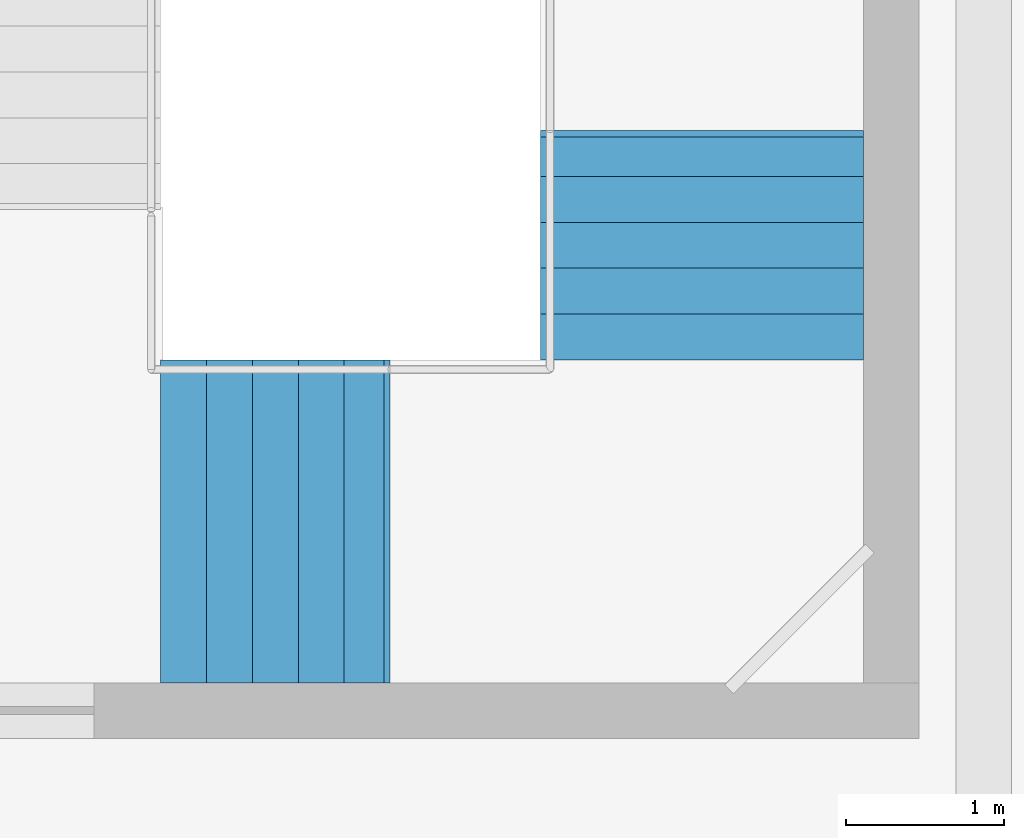
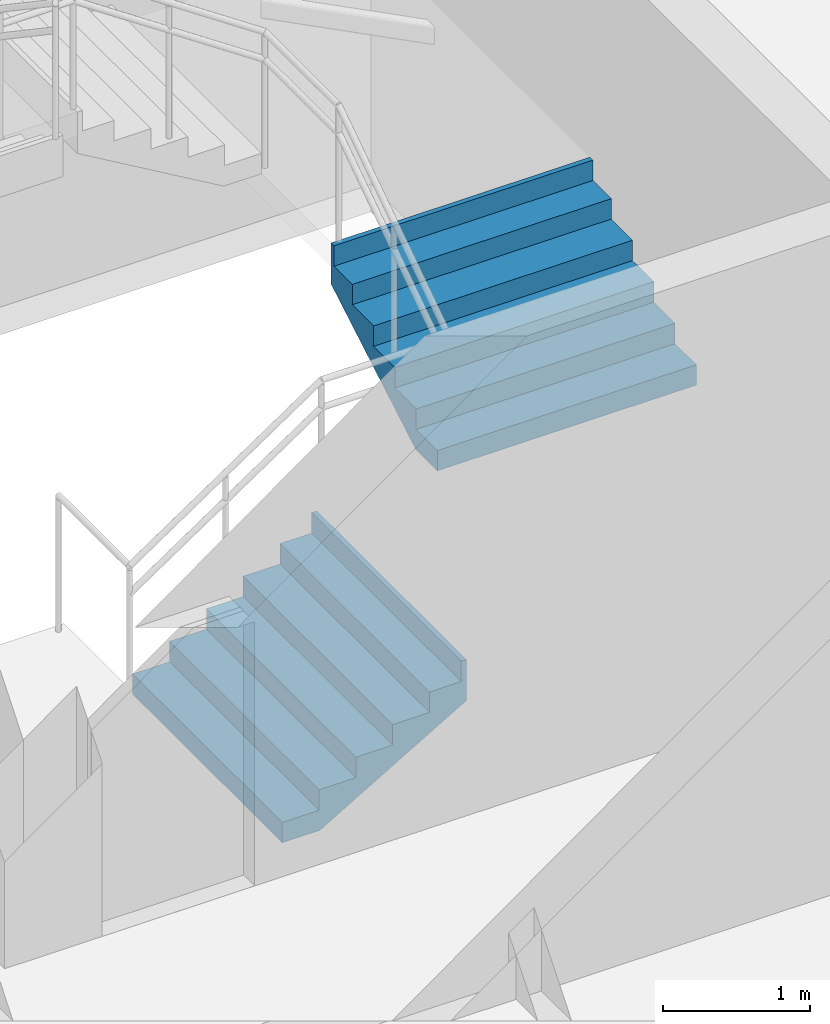
# One storey, part 62 of 70: 2 stair flights, 1 element without a shape of its own.
"""IFC4 building model written with IfcOpenShell, lengths in metres."""

from ifc_helpers import new_model, si_unit, direction, frame, origin, place, context, subcontext, project, spatial, triangles, material, type_object, element, aggregate, save


model = new_model("IFC4")

# Units and contexts
model_context = context("Model", 3, precision=1e-05, world=origin(), true_north=direction((0.0, 1.0)))
body_context = subcontext(model_context, "Body", "Model", "MODEL_VIEW")
ifc_project = project(units=[si_unit("LENGTHUNIT", "METRE"), si_unit("AREAUNIT", "SQUARE_METRE"), si_unit("VOLUMEUNIT", "CUBIC_METRE"), si_unit("PLANEANGLEUNIT", "RADIAN"), si_unit("MASSUNIT", "GRAM", prefix="KILO")], contexts=[model_context])

# Site, building, storey
site_placement = place(None, origin())
site = spatial("IfcSite", under=ifc_project, at=site_placement, CompositionType="ELEMENT")
building_placement = place(site_placement, origin())
building = spatial("IfcBuilding", under=site, at=building_placement, Name="Sillaruma Civic Art Gallery", CompositionType="ELEMENT")
storey_placement = place(building_placement, frame((0.0, 0.0, 66.300048828125)))
storey = spatial("IfcBuildingStorey", under=building, at=storey_placement, Name="L13", CompositionType="ELEMENT", Elevation=66.300048828125)

# Stair, stair flights
ifc_material = material(Name="Concrete H35 (35 MPa)", Category="concrete")
stair_type = type_object("IfcStairType", Name="STR-4F-24", PredefinedType="USERDEFINED", material=ifc_material)
stair_placement = place(storey_placement, origin())
stair = element("IfcStair", 1, at=stair_placement, inside=storey, type_object=stair_type, Name="Protected Exit Stair ST-02 (West Bar North) (L13)", ObjectType="THREE_RETURN_STAIR", PredefinedType="USERDEFINED")
stair_flight_type = type_object("IfcStairFlightType", Name="SFL-STR-6", PredefinedType="STRAIGHT", material=ifc_material)
stair_flight_1_placement = place(storey_placement, frame((64.800048828125, 81.929931640625, 0.0), z_axis=(0.0, 0.0, 1.0), x_axis=(1.0, 0.0, 0.0)))
stair_flight_1 = element("IfcStairFlight", 2, at=stair_flight_1_placement, type_object=stair_flight_type, Name="ST-02 flight 1", NumberOfRisers=6, NumberOfTreads=5, PredefinedType="STRAIGHT", RiserHeight=0.17, TreadLength=0.29, context=body_context, shape_type="Tessellation", body=[
    triangles([(0.0, -1.02001953125, 0.0), (0.29, -1.02001953125, 0.0), (0.296365, -1.02001953125, 0.0), (0.58, -1.02001953125, 0.166269), (0.87, -1.02001953125, 0.336269), (1.16, -1.02001953125, 0.506269), (1.409951, -1.02001953125, 0.652792), (1.449951, -1.02001953125, 0.67624), (1.449951, -1.02001953125, 1.02), (1.409951, -1.02001953125, 1.02), (1.409951, -1.02001953125, 0.85), (1.16, -1.02001953125, 0.85), (1.16, -1.02001953125, 0.68), (0.87, -1.02001953125, 0.68), (0.87, -1.02001953125, 0.51), (0.58, -1.02001953125, 0.51), (0.58, -1.02001953125, 0.34), (0.296365, -1.02001953125, 0.34), (0.29, -1.02001953125, 0.34), (0.29, -1.02001953125, 0.17), (0.0, -1.02001953125, 0.17), (0.0, -0.05, 0.0), (0.29, -0.05, 0.0), (0.296365, -0.05, 0.0), (0.58, -0.05, 0.166269), (0.87, -0.05, 0.336269), (1.16, -0.05, 0.506269), (1.409951, -0.05, 0.652792), (1.449951, -0.05, 0.67624), (1.449951, -0.05, 1.02), (1.409951, -0.05, 1.02), (1.409951, -0.05, 0.85), (1.16, -0.05, 0.85), (1.16, -0.05, 0.68), (0.87, -0.05, 0.68), (0.87, -0.05, 0.51), (0.58, -0.05, 0.51), (0.58, -0.05, 0.34), (0.296365, -0.05, 0.34), (0.29, -0.05, 0.34), (0.29, -0.05, 0.17), (0.0, -0.05, 0.17), (0.0, -0.0375, 0.0), (0.29, -0.0375, 0.0), (0.296365, -0.0375, 0.0), (0.58, -0.0375, 0.166269), (0.87, -0.0375, 0.336269), (1.16, -0.0375, 0.506269), (1.409951, -0.0375, 0.652792), (1.449951, -0.0375, 0.67624), (1.449951, -0.0375, 1.02), (1.409951, -0.0375, 1.02), (1.409951, -0.0375, 0.85), (1.16, -0.0375, 0.85), (1.16, -0.0375, 0.68), (0.87, -0.0375, 0.68), (0.87, -0.0375, 0.51), (0.58, -0.0375, 0.51), (0.58, -0.0375, 0.34), (0.296365, -0.0375, 0.34), (0.29, -0.0375, 0.34), (0.29, -0.0375, 0.17), (0.0, -0.0375, 0.17), (0.0, -0.025, 0.0), (0.29, -0.025, 0.0), (0.296365, -0.025, 0.0), (0.58, -0.025, 0.166269), (0.87, -0.025, 0.336269), (1.16, -0.025, 0.506269), (1.409951, -0.025, 0.652792), (1.449951, -0.025, 0.67624), (1.449951, -0.025, 1.02), (1.409951, -0.025, 1.02), (1.409951, -0.025, 0.85), (1.16, -0.025, 0.85), (1.16, -0.025, 0.68), (0.87, -0.025, 0.68), (0.87, -0.025, 0.51), (0.58, -0.025, 0.51), (0.58, -0.025, 0.34), (0.296365, -0.025, 0.34), (0.29, -0.025, 0.34), (0.29, -0.025, 0.17), (0.0, -0.025, 0.17), (0.0, -0.0125, 0.0), (0.29, -0.0125, 0.0), (0.296365, -0.0125, 0.0), (0.58, -0.0125, 0.166269), (0.87, -0.0125, 0.336269), (1.16, -0.0125, 0.506269), (1.409951, -0.0125, 0.652792), (1.449951, -0.0125, 0.67624), (1.449951, -0.0125, 1.02), (1.409951, -0.0125, 1.02), (1.409951, -0.0125, 0.85), (1.16, -0.0125, 0.85), (1.16, -0.0125, 0.68), (0.87, -0.0125, 0.68), (0.87, -0.0125, 0.51), (0.58, -0.0125, 0.51), (0.58, -0.0125, 0.34), (0.296365, -0.0125, 0.34), (0.29, -0.0125, 0.34), (0.29, -0.0125, 0.17), (0.0, -0.0125, 0.17), (0.0, 0.0, 0.0), (0.29, 0.0, 0.0), (0.296365, 0.0, 0.0), (0.58, 0.0, 0.166269), (0.87, 0.0, 0.336269), (1.16, 0.0, 0.506269), (1.409951, 0.0, 0.652792), (1.449951, 0.0, 0.67624), (1.449951, 0.0, 1.02), (1.409951, 0.0, 1.02), (1.409951, 0.0, 0.85), (1.16, 0.0, 0.85), (1.16, 0.0, 0.68), (0.87, 0.0, 0.68), (0.87, 0.0, 0.51), (0.58, 0.0, 0.51), (0.58, 0.0, 0.34), (0.296365, 0.0, 0.34), (0.29, 0.0, 0.34), (0.29, 0.0, 0.17), (0.0, 0.0, 0.17), (0.0, 0.0125, 0.0), (0.29, 0.0125, 0.0), (0.296365, 0.0125, 0.0), (0.58, 0.0125, 0.166269), (0.87, 0.0125, 0.336269), (1.16, 0.0125, 0.506269), (1.409951, 0.0125, 0.652792), (1.449951, 0.0125, 0.67624), (1.449951, 0.0125, 1.02), (1.409951, 0.0125, 1.02), (1.409951, 0.0125, 0.85), (1.16, 0.0125, 0.85), (1.16, 0.0125, 0.68), (0.87, 0.0125, 0.68), (0.87, 0.0125, 0.51), (0.58, 0.0125, 0.51), (0.58, 0.0125, 0.34), (0.296365, 0.0125, 0.34), (0.29, 0.0125, 0.34), (0.29, 0.0125, 0.17), (0.0, 0.0125, 0.17), (0.0, 0.025, 0.0), (0.29, 0.025, 0.0), (0.296365, 0.025, 0.0), (0.58, 0.025, 0.166269), (0.87, 0.025, 0.336269), (1.16, 0.025, 0.506269), (1.409951, 0.025, 0.652792), (1.449951, 0.025, 0.67624), (1.449951, 0.025, 1.02), (1.409951, 0.025, 1.02), (1.409951, 0.025, 0.85), (1.16, 0.025, 0.85), (1.16, 0.025, 0.68), (0.87, 0.025, 0.68), (0.87, 0.025, 0.51), (0.58, 0.025, 0.51), (0.58, 0.025, 0.34), (0.296365, 0.025, 0.34), (0.29, 0.025, 0.34), (0.29, 0.025, 0.17), (0.0, 0.025, 0.17), (0.0, 0.0375, 0.0), (0.29, 0.0375, 0.0), (0.296365, 0.0375, 0.0), (0.58, 0.0375, 0.166269), (0.87, 0.0375, 0.336269), (1.16, 0.0375, 0.506269), (1.409951, 0.0375, 0.652792), (1.449951, 0.0375, 0.67624), (1.449951, 0.0375, 1.02), (1.409951, 0.0375, 1.02), (1.409951, 0.0375, 0.85), (1.16, 0.0375, 0.85), (1.16, 0.0375, 0.68), (0.87, 0.0375, 0.68), (0.87, 0.0375, 0.51), (0.58, 0.0375, 0.51), (0.58, 0.0375, 0.34), (0.296365, 0.0375, 0.34), (0.29, 0.0375, 0.34), (0.29, 0.0375, 0.17), (0.0, 0.0375, 0.17), (0.0, 0.05, 0.0), (0.29, 0.05, 0.0), (0.296365, 0.05, 0.0), (0.58, 0.05, 0.166269), (0.87, 0.05, 0.336269), (1.16, 0.05, 0.506269), (1.409951, 0.05, 0.652792), (1.449951, 0.05, 0.67624), (1.449951, 0.05, 1.02), (1.409951, 0.05, 1.02), (1.409951, 0.05, 0.85), (1.16, 0.05, 0.85), (1.16, 0.05, 0.68), (0.87, 0.05, 0.68), (0.87, 0.05, 0.51), (0.58, 0.05, 0.51), (0.58, 0.05, 0.34), (0.296365, 0.05, 0.34), (0.29, 0.05, 0.34), (0.29, 0.05, 0.17), (0.0, 0.05, 0.17), (0.0, 1.02001953125, 0.0), (0.29, 1.02001953125, 0.0), (0.296365, 1.02001953125, 0.0), (0.58, 1.02001953125, 0.166269), (0.87, 1.02001953125, 0.336269), (1.16, 1.02001953125, 0.506269), (1.409951, 1.02001953125, 0.652792), (1.449951, 1.02001953125, 0.67624), (1.449951, 1.02001953125, 1.02), (1.409951, 1.02001953125, 1.02), (1.409951, 1.02001953125, 0.85), (1.16, 1.02001953125, 0.85), (1.16, 1.02001953125, 0.68), (0.87, 1.02001953125, 0.68), (0.87, 1.02001953125, 0.51), (0.58, 1.02001953125, 0.51), (0.58, 1.02001953125, 0.34), (0.296365, 1.02001953125, 0.34), (0.29, 1.02001953125, 0.34), (0.29, 1.02001953125, 0.17), (0.0, 1.02001953125, 0.17)], [[1, 2, 20], [1, 20, 21], [2, 3, 18], [2, 18, 20], [20, 18, 19], [3, 4, 17], [3, 17, 18], [4, 5, 15], [4, 15, 17], [17, 15, 16], [5, 6, 13], [5, 13, 15], [15, 13, 14], [6, 7, 11], [6, 11, 13], [13, 11, 12], [7, 8, 9], [7, 9, 11], [11, 9, 10], [230, 212, 211], [231, 230, 211], [228, 213, 212], [230, 228, 212], [229, 228, 230], [227, 214, 213], [228, 227, 213], [225, 215, 214], [227, 225, 214], [226, 225, 227], [223, 216, 215], [225, 223, 215], [224, 223, 225], [221, 217, 216], [223, 221, 216], [222, 221, 223], [219, 218, 217], [221, 219, 217], [220, 219, 221], [2, 1, 22], [2, 22, 23], [3, 2, 23], [3, 23, 24], [4, 3, 24], [4, 24, 25], [5, 4, 25], [5, 25, 26], [6, 5, 26], [6, 26, 27], [7, 6, 27], [7, 27, 28], [8, 7, 28], [8, 28, 29], [9, 8, 29], [9, 29, 30], [10, 9, 30], [10, 30, 31], [11, 10, 31], [11, 31, 32], [12, 11, 32], [12, 32, 33], [13, 12, 33], [13, 33, 34], [14, 13, 34], [14, 34, 35], [15, 14, 35], [15, 35, 36], [16, 15, 36], [16, 36, 37], [17, 16, 37], [17, 37, 38], [18, 17, 38], [18, 38, 39], [19, 18, 39], [19, 39, 40], [20, 19, 40], [20, 40, 41], [21, 20, 41], [21, 41, 42], [1, 21, 42], [1, 42, 22], [23, 22, 43], [23, 43, 44], [24, 23, 44], [24, 44, 45], [25, 24, 45], [25, 45, 46], [26, 25, 46], [26, 46, 47], [27, 26, 47], [27, 47, 48], [28, 27, 48], [28, 48, 49], [29, 28, 49], [29, 49, 50], [30, 29, 50], [30, 50, 51], [31, 30, 51], [31, 51, 52], [32, 31, 52], [32, 52, 53], [33, 32, 53], [33, 53, 54], [34, 33, 54], [34, 54, 55], [35, 34, 55], [35, 55, 56], [36, 35, 56], [36, 56, 57], [37, 36, 57], [37, 57, 58], [38, 37, 58], [38, 58, 59], [39, 38, 59], [39, 59, 60], [40, 39, 60], [40, 60, 61], [41, 40, 61], [41, 61, 62], [42, 41, 62], [42, 62, 63], [22, 42, 63], [22, 63, 43], [44, 43, 64], [44, 64, 65], [45, 44, 65], [45, 65, 66], [46, 45, 66], [46, 66, 67], [47, 46, 67], [47, 67, 68], [48, 47, 68], [48, 68, 69], [49, 48, 69], [49, 69, 70], [50, 49, 70], [50, 70, 71], [51, 50, 71], [51, 71, 72], [52, 51, 72], [52, 72, 73], [53, 52, 73], [53, 73, 74], [54, 53, 74], [54, 74, 75], [55, 54, 75], [55, 75, 76], [56, 55, 76], [56, 76, 77], [57, 56, 77], [57, 77, 78], [58, 57, 78], [58, 78, 79], [59, 58, 79], [59, 79, 80], [60, 59, 80], [60, 80, 81], [61, 60, 81], [61, 81, 82], [62, 61, 82], [62, 82, 83], [63, 62, 83], [63, 83, 84], [43, 63, 84], [43, 84, 64], [65, 64, 85], [65, 85, 86], [66, 65, 86], [66, 86, 87], [67, 66, 87], [67, 87, 88], [68, 67, 88], [68, 88, 89], [69, 68, 89], [69, 89, 90], [70, 69, 90], [70, 90, 91], [71, 70, 91], [71, 91, 92], [72, 71, 92], [72, 92, 93], [73, 72, 93], [73, 93, 94], [74, 73, 94], [74, 94, 95], [75, 74, 95], [75, 95, 96], [76, 75, 96], [76, 96, 97], [77, 76, 97], [77, 97, 98], [78, 77, 98], [78, 98, 99], [79, 78, 99], [79, 99, 100], [80, 79, 100], [80, 100, 101], [81, 80, 101], [81, 101, 102], [82, 81, 102], [82, 102, 103], [83, 82, 103], [83, 103, 104], [84, 83, 104], [84, 104, 105], [64, 84, 105], [64, 105, 85], [86, 85, 106], [86, 106, 107], [87, 86, 107], [87, 107, 108], [88, 87, 108], [88, 108, 109], [89, 88, 109], [89, 109, 110], [90, 89, 110], [90, 110, 111], [91, 90, 111], [91, 111, 112], [92, 91, 112], [92, 112, 113], [93, 92, 113], [93, 113, 114], [94, 93, 114], [94, 114, 115], [95, 94, 115], [95, 115, 116], [96, 95, 116], [96, 116, 117], [97, 96, 117], [97, 117, 118], [98, 97, 118], [98, 118, 119], [99, 98, 119], [99, 119, 120], [100, 99, 120], [100, 120, 121], [101, 100, 121], [101, 121, 122], [102, 101, 122], [102, 122, 123], [103, 102, 123], [103, 123, 124], [104, 103, 124], [104, 124, 125], [105, 104, 125], [105, 125, 126], [85, 105, 126], [85, 126, 106], [107, 106, 127], [107, 127, 128], [108, 107, 128], [108, 128, 129], [109, 108, 129], [109, 129, 130], [110, 109, 130], [110, 130, 131], [111, 110, 131], [111, 131, 132], [112, 111, 132], [112, 132, 133], [113, 112, 133], [113, 133, 134], [114, 113, 134], [114, 134, 135], [115, 114, 135], [115, 135, 136], [116, 115, 136], [116, 136, 137], [117, 116, 137], [117, 137, 138], [118, 117, 138], [118, 138, 139], [119, 118, 139], [119, 139, 140], [120, 119, 140], [120, 140, 141], [121, 120, 141], [121, 141, 142], [122, 121, 142], [122, 142, 143], [123, 122, 143], [123, 143, 144], [124, 123, 144], [124, 144, 145], [125, 124, 145], [125, 145, 146], [126, 125, 146], [126, 146, 147], [106, 126, 147], [106, 147, 127], [128, 127, 148], [128, 148, 149], [129, 128, 149], [129, 149, 150], [130, 129, 150], [130, 150, 151], [131, 130, 151], [131, 151, 152], [132, 131, 152], [132, 152, 153], [133, 132, 153], [133, 153, 154], [134, 133, 154], [134, 154, 155], [135, 134, 155], [135, 155, 156], [136, 135, 156], [136, 156, 157], [137, 136, 157], [137, 157, 158], [138, 137, 158], [138, 158, 159], [139, 138, 159], [139, 159, 160], [140, 139, 160], [140, 160, 161], [141, 140, 161], [141, 161, 162], [142, 141, 162], [142, 162, 163], [143, 142, 163], [143, 163, 164], [144, 143, 164], [144, 164, 165], [145, 144, 165], [145, 165, 166], [146, 145, 166], [146, 166, 167], [147, 146, 167], [147, 167, 168], [127, 147, 168], [127, 168, 148], [149, 148, 169], [149, 169, 170], [150, 149, 170], [150, 170, 171], [151, 150, 171], [151, 171, 172], [152, 151, 172], [152, 172, 173], [153, 152, 173], [153, 173, 174], [154, 153, 174], [154, 174, 175], [155, 154, 175], [155, 175, 176], [156, 155, 176], [156, 176, 177], [157, 156, 177], [157, 177, 178], [158, 157, 178], [158, 178, 179], [159, 158, 179], [159, 179, 180], [160, 159, 180], [160, 180, 181], [161, 160, 181], [161, 181, 182], [162, 161, 182], [162, 182, 183], [163, 162, 183], [163, 183, 184], [164, 163, 184], [164, 184, 185], [165, 164, 185], [165, 185, 186], [166, 165, 186], [166, 186, 187], [167, 166, 187], [167, 187, 188], [168, 167, 188], [168, 188, 189], [148, 168, 189], [148, 189, 169], [170, 169, 190], [170, 190, 191], [171, 170, 191], [171, 191, 192], [172, 171, 192], [172, 192, 193], [173, 172, 193], [173, 193, 194], [174, 173, 194], [174, 194, 195], [175, 174, 195], [175, 195, 196], [176, 175, 196], [176, 196, 197], [177, 176, 197], [177, 197, 198], [178, 177, 198], [178, 198, 199], [179, 178, 199], [179, 199, 200], [180, 179, 200], [180, 200, 201], [181, 180, 201], [181, 201, 202], [182, 181, 202], [182, 202, 203], [183, 182, 203], [183, 203, 204], [184, 183, 204], [184, 204, 205], [185, 184, 205], [185, 205, 206], [186, 185, 206], [186, 206, 207], [187, 186, 207], [187, 207, 208], [188, 187, 208], [188, 208, 209], [189, 188, 209], [189, 209, 210], [169, 189, 210], [169, 210, 190], [191, 190, 211], [191, 211, 212], [192, 191, 212], [192, 212, 213], [193, 192, 213], [193, 213, 214], [194, 193, 214], [194, 214, 215], [195, 194, 215], [195, 215, 216], [196, 195, 216], [196, 216, 217], [197, 196, 217], [197, 217, 218], [198, 197, 218], [198, 218, 219], [199, 198, 219], [199, 219, 220], [200, 199, 220], [200, 220, 221], [201, 200, 221], [201, 221, 222], [202, 201, 222], [202, 222, 223], [203, 202, 223], [203, 223, 224], [204, 203, 224], [204, 224, 225], [205, 204, 225], [205, 225, 226], [206, 205, 226], [206, 226, 227], [207, 206, 227], [207, 227, 228], [208, 207, 228], [208, 228, 229], [209, 208, 229], [209, 229, 230], [210, 209, 230], [210, 230, 231], [190, 210, 231], [190, 231, 211]], closed=True),
])
stair_flight_2_placement = place(storey_placement, frame((68.219970703125, 82.949951171875, 1.02001953125), z_axis=(0.0, 0.0, 1.0), x_axis=(0.0, 1.0, 0.0)))
stair_flight_2 = element("IfcStairFlight", 3, at=stair_flight_2_placement, type_object=stair_flight_type, Name="ST-02 flight 2", NumberOfRisers=6, NumberOfTreads=5, PredefinedType="STRAIGHT", RiserHeight=0.17, TreadLength=0.29, context=body_context, shape_type="Tessellation", body=[
    triangles([(0.0, -1.02001953125, 0.0), (0.29, -1.02001953125, 0.0), (0.296365, -1.02001953125, 0.0), (0.58, -1.02001953125, 0.166269), (0.87, -1.02001953125, 0.336269), (1.16, -1.02001953125, 0.506269), (1.409951, -1.02001953125, 0.652792), (1.449951, -1.02001953125, 0.67624), (1.449951, -1.02001953125, 1.02), (1.409951, -1.02001953125, 1.02), (1.409951, -1.02001953125, 0.85), (1.16, -1.02001953125, 0.85), (1.16, -1.02001953125, 0.68), (0.87, -1.02001953125, 0.68), (0.87, -1.02001953125, 0.51), (0.58, -1.02001953125, 0.51), (0.58, -1.02001953125, 0.34), (0.296365, -1.02001953125, 0.34), (0.29, -1.02001953125, 0.34), (0.29, -1.02001953125, 0.17), (0.0, -1.02001953125, 0.17), (0.0, -0.05, 0.0), (0.29, -0.05, 0.0), (0.296365, -0.05, 0.0), (0.58, -0.05, 0.166269), (0.87, -0.05, 0.336269), (1.16, -0.05, 0.506269), (1.409951, -0.05, 0.652792), (1.449951, -0.05, 0.67624), (1.449951, -0.05, 1.02), (1.409951, -0.05, 1.02), (1.409951, -0.05, 0.85), (1.16, -0.05, 0.85), (1.16, -0.05, 0.68), (0.87, -0.05, 0.68), (0.87, -0.05, 0.51), (0.58, -0.05, 0.51), (0.58, -0.05, 0.34), (0.296365, -0.05, 0.34), (0.29, -0.05, 0.34), (0.29, -0.05, 0.17), (0.0, -0.05, 0.17), (0.0, -0.0375, 0.0), (0.29, -0.0375, 0.0), (0.296365, -0.0375, 0.0), (0.58, -0.0375, 0.166269), (0.87, -0.0375, 0.336269), (1.16, -0.0375, 0.506269), (1.409951, -0.0375, 0.652792), (1.449951, -0.0375, 0.67624), (1.449951, -0.0375, 1.02), (1.409951, -0.0375, 1.02), (1.409951, -0.0375, 0.85), (1.16, -0.0375, 0.85), (1.16, -0.0375, 0.68), (0.87, -0.0375, 0.68), (0.87, -0.0375, 0.51), (0.58, -0.0375, 0.51), (0.58, -0.0375, 0.34), (0.296365, -0.0375, 0.34), (0.29, -0.0375, 0.34), (0.29, -0.0375, 0.17), (0.0, -0.0375, 0.17), (0.0, -0.025, 0.0), (0.29, -0.025, 0.0), (0.296365, -0.025, 0.0), (0.58, -0.025, 0.166269), (0.87, -0.025, 0.336269), (1.16, -0.025, 0.506269), (1.409951, -0.025, 0.652792), (1.449951, -0.025, 0.67624), (1.449951, -0.025, 1.02), (1.409951, -0.025, 1.02), (1.409951, -0.025, 0.85), (1.16, -0.025, 0.85), (1.16, -0.025, 0.68), (0.87, -0.025, 0.68), (0.87, -0.025, 0.51), (0.58, -0.025, 0.51), (0.58, -0.025, 0.34), (0.296365, -0.025, 0.34), (0.29, -0.025, 0.34), (0.29, -0.025, 0.17), (0.0, -0.025, 0.17), (0.0, -0.0125, 0.0), (0.29, -0.0125, 0.0), (0.296365, -0.0125, 0.0), (0.58, -0.0125, 0.166269), (0.87, -0.0125, 0.336269), (1.16, -0.0125, 0.506269), (1.409951, -0.0125, 0.652792), (1.449951, -0.0125, 0.67624), (1.449951, -0.0125, 1.02), (1.409951, -0.0125, 1.02), (1.409951, -0.0125, 0.85), (1.16, -0.0125, 0.85), (1.16, -0.0125, 0.68), (0.87, -0.0125, 0.68), (0.87, -0.0125, 0.51), (0.58, -0.0125, 0.51), (0.58, -0.0125, 0.34), (0.296365, -0.0125, 0.34), (0.29, -0.0125, 0.34), (0.29, -0.0125, 0.17), (0.0, -0.0125, 0.17), (0.0, 0.0, 0.0), (0.29, 0.0, 0.0), (0.296365, 0.0, 0.0), (0.58, 0.0, 0.166269), (0.87, 0.0, 0.336269), (1.16, 0.0, 0.506269), (1.409951, 0.0, 0.652792), (1.449951, 0.0, 0.67624), (1.449951, 0.0, 1.02), (1.409951, 0.0, 1.02), (1.409951, 0.0, 0.85), (1.16, 0.0, 0.85), (1.16, 0.0, 0.68), (0.87, 0.0, 0.68), (0.87, 0.0, 0.51), (0.58, 0.0, 0.51), (0.58, 0.0, 0.34), (0.296365, 0.0, 0.34), (0.29, 0.0, 0.34), (0.29, 0.0, 0.17), (0.0, 0.0, 0.17), (0.0, 0.0125, 0.0), (0.29, 0.0125, 0.0), (0.296365, 0.0125, 0.0), (0.58, 0.0125, 0.166269), (0.87, 0.0125, 0.336269), (1.16, 0.0125, 0.506269), (1.409951, 0.0125, 0.652792), (1.449951, 0.0125, 0.67624), (1.449951, 0.0125, 1.02), (1.409951, 0.0125, 1.02), (1.409951, 0.0125, 0.85), (1.16, 0.0125, 0.85), (1.16, 0.0125, 0.68), (0.87, 0.0125, 0.68), (0.87, 0.0125, 0.51), (0.58, 0.0125, 0.51), (0.58, 0.0125, 0.34), (0.296365, 0.0125, 0.34), (0.29, 0.0125, 0.34), (0.29, 0.0125, 0.17), (0.0, 0.0125, 0.17), (0.0, 0.025, 0.0), (0.29, 0.025, 0.0), (0.296365, 0.025, 0.0), (0.58, 0.025, 0.166269), (0.87, 0.025, 0.336269), (1.16, 0.025, 0.506269), (1.409951, 0.025, 0.652792), (1.449951, 0.025, 0.67624), (1.449951, 0.025, 1.02), (1.409951, 0.025, 1.02), (1.409951, 0.025, 0.85), (1.16, 0.025, 0.85), (1.16, 0.025, 0.68), (0.87, 0.025, 0.68), (0.87, 0.025, 0.51), (0.58, 0.025, 0.51), (0.58, 0.025, 0.34), (0.296365, 0.025, 0.34), (0.29, 0.025, 0.34), (0.29, 0.025, 0.17), (0.0, 0.025, 0.17), (0.0, 0.0375, 0.0), (0.29, 0.0375, 0.0), (0.296365, 0.0375, 0.0), (0.58, 0.0375, 0.166269), (0.87, 0.0375, 0.336269), (1.16, 0.0375, 0.506269), (1.409951, 0.0375, 0.652792), (1.449951, 0.0375, 0.67624), (1.449951, 0.0375, 1.02), (1.409951, 0.0375, 1.02), (1.409951, 0.0375, 0.85), (1.16, 0.0375, 0.85), (1.16, 0.0375, 0.68), (0.87, 0.0375, 0.68), (0.87, 0.0375, 0.51), (0.58, 0.0375, 0.51), (0.58, 0.0375, 0.34), (0.296365, 0.0375, 0.34), (0.29, 0.0375, 0.34), (0.29, 0.0375, 0.17), (0.0, 0.0375, 0.17), (0.0, 0.05, 0.0), (0.29, 0.05, 0.0), (0.296365, 0.05, 0.0), (0.58, 0.05, 0.166269), (0.87, 0.05, 0.336269), (1.16, 0.05, 0.506269), (1.409951, 0.05, 0.652792), (1.449951, 0.05, 0.67624), (1.449951, 0.05, 1.02), (1.409951, 0.05, 1.02), (1.409951, 0.05, 0.85), (1.16, 0.05, 0.85), (1.16, 0.05, 0.68), (0.87, 0.05, 0.68), (0.87, 0.05, 0.51), (0.58, 0.05, 0.51), (0.58, 0.05, 0.34), (0.296365, 0.05, 0.34), (0.29, 0.05, 0.34), (0.29, 0.05, 0.17), (0.0, 0.05, 0.17), (0.0, 1.02001953125, 0.0), (0.29, 1.02001953125, 0.0), (0.296365, 1.02001953125, 0.0), (0.58, 1.02001953125, 0.166269), (0.87, 1.02001953125, 0.336269), (1.16, 1.02001953125, 0.506269), (1.409951, 1.02001953125, 0.652792), (1.449951, 1.02001953125, 0.67624), (1.449951, 1.02001953125, 1.02), (1.409951, 1.02001953125, 1.02), (1.409951, 1.02001953125, 0.85), (1.16, 1.02001953125, 0.85), (1.16, 1.02001953125, 0.68), (0.87, 1.02001953125, 0.68), (0.87, 1.02001953125, 0.51), (0.58, 1.02001953125, 0.51), (0.58, 1.02001953125, 0.34), (0.296365, 1.02001953125, 0.34), (0.29, 1.02001953125, 0.34), (0.29, 1.02001953125, 0.17), (0.0, 1.02001953125, 0.17)], [[1, 2, 20], [1, 20, 21], [2, 3, 18], [2, 18, 20], [20, 18, 19], [3, 4, 17], [3, 17, 18], [4, 5, 15], [4, 15, 17], [17, 15, 16], [5, 6, 13], [5, 13, 15], [15, 13, 14], [6, 7, 11], [6, 11, 13], [13, 11, 12], [7, 8, 9], [7, 9, 11], [11, 9, 10], [230, 212, 211], [231, 230, 211], [228, 213, 212], [230, 228, 212], [229, 228, 230], [227, 214, 213], [228, 227, 213], [225, 215, 214], [227, 225, 214], [226, 225, 227], [223, 216, 215], [225, 223, 215], [224, 223, 225], [221, 217, 216], [223, 221, 216], [222, 221, 223], [219, 218, 217], [221, 219, 217], [220, 219, 221], [2, 1, 22], [2, 22, 23], [3, 2, 23], [3, 23, 24], [4, 3, 24], [4, 24, 25], [5, 4, 25], [5, 25, 26], [6, 5, 26], [6, 26, 27], [7, 6, 27], [7, 27, 28], [8, 7, 28], [8, 28, 29], [9, 8, 29], [9, 29, 30], [10, 9, 30], [10, 30, 31], [11, 10, 31], [11, 31, 32], [12, 11, 32], [12, 32, 33], [13, 12, 33], [13, 33, 34], [14, 13, 34], [14, 34, 35], [15, 14, 35], [15, 35, 36], [16, 15, 36], [16, 36, 37], [17, 16, 37], [17, 37, 38], [18, 17, 38], [18, 38, 39], [19, 18, 39], [19, 39, 40], [20, 19, 40], [20, 40, 41], [21, 20, 41], [21, 41, 42], [1, 21, 42], [1, 42, 22], [23, 22, 43], [23, 43, 44], [24, 23, 44], [24, 44, 45], [25, 24, 45], [25, 45, 46], [26, 25, 46], [26, 46, 47], [27, 26, 47], [27, 47, 48], [28, 27, 48], [28, 48, 49], [29, 28, 49], [29, 49, 50], [30, 29, 50], [30, 50, 51], [31, 30, 51], [31, 51, 52], [32, 31, 52], [32, 52, 53], [33, 32, 53], [33, 53, 54], [34, 33, 54], [34, 54, 55], [35, 34, 55], [35, 55, 56], [36, 35, 56], [36, 56, 57], [37, 36, 57], [37, 57, 58], [38, 37, 58], [38, 58, 59], [39, 38, 59], [39, 59, 60], [40, 39, 60], [40, 60, 61], [41, 40, 61], [41, 61, 62], [42, 41, 62], [42, 62, 63], [22, 42, 63], [22, 63, 43], [44, 43, 64], [44, 64, 65], [45, 44, 65], [45, 65, 66], [46, 45, 66], [46, 66, 67], [47, 46, 67], [47, 67, 68], [48, 47, 68], [48, 68, 69], [49, 48, 69], [49, 69, 70], [50, 49, 70], [50, 70, 71], [51, 50, 71], [51, 71, 72], [52, 51, 72], [52, 72, 73], [53, 52, 73], [53, 73, 74], [54, 53, 74], [54, 74, 75], [55, 54, 75], [55, 75, 76], [56, 55, 76], [56, 76, 77], [57, 56, 77], [57, 77, 78], [58, 57, 78], [58, 78, 79], [59, 58, 79], [59, 79, 80], [60, 59, 80], [60, 80, 81], [61, 60, 81], [61, 81, 82], [62, 61, 82], [62, 82, 83], [63, 62, 83], [63, 83, 84], [43, 63, 84], [43, 84, 64], [65, 64, 85], [65, 85, 86], [66, 65, 86], [66, 86, 87], [67, 66, 87], [67, 87, 88], [68, 67, 88], [68, 88, 89], [69, 68, 89], [69, 89, 90], [70, 69, 90], [70, 90, 91], [71, 70, 91], [71, 91, 92], [72, 71, 92], [72, 92, 93], [73, 72, 93], [73, 93, 94], [74, 73, 94], [74, 94, 95], [75, 74, 95], [75, 95, 96], [76, 75, 96], [76, 96, 97], [77, 76, 97], [77, 97, 98], [78, 77, 98], [78, 98, 99], [79, 78, 99], [79, 99, 100], [80, 79, 100], [80, 100, 101], [81, 80, 101], [81, 101, 102], [82, 81, 102], [82, 102, 103], [83, 82, 103], [83, 103, 104], [84, 83, 104], [84, 104, 105], [64, 84, 105], [64, 105, 85], [86, 85, 106], [86, 106, 107], [87, 86, 107], [87, 107, 108], [88, 87, 108], [88, 108, 109], [89, 88, 109], [89, 109, 110], [90, 89, 110], [90, 110, 111], [91, 90, 111], [91, 111, 112], [92, 91, 112], [92, 112, 113], [93, 92, 113], [93, 113, 114], [94, 93, 114], [94, 114, 115], [95, 94, 115], [95, 115, 116], [96, 95, 116], [96, 116, 117], [97, 96, 117], [97, 117, 118], [98, 97, 118], [98, 118, 119], [99, 98, 119], [99, 119, 120], [100, 99, 120], [100, 120, 121], [101, 100, 121], [101, 121, 122], [102, 101, 122], [102, 122, 123], [103, 102, 123], [103, 123, 124], [104, 103, 124], [104, 124, 125], [105, 104, 125], [105, 125, 126], [85, 105, 126], [85, 126, 106], [107, 106, 127], [107, 127, 128], [108, 107, 128], [108, 128, 129], [109, 108, 129], [109, 129, 130], [110, 109, 130], [110, 130, 131], [111, 110, 131], [111, 131, 132], [112, 111, 132], [112, 132, 133], [113, 112, 133], [113, 133, 134], [114, 113, 134], [114, 134, 135], [115, 114, 135], [115, 135, 136], [116, 115, 136], [116, 136, 137], [117, 116, 137], [117, 137, 138], [118, 117, 138], [118, 138, 139], [119, 118, 139], [119, 139, 140], [120, 119, 140], [120, 140, 141], [121, 120, 141], [121, 141, 142], [122, 121, 142], [122, 142, 143], [123, 122, 143], [123, 143, 144], [124, 123, 144], [124, 144, 145], [125, 124, 145], [125, 145, 146], [126, 125, 146], [126, 146, 147], [106, 126, 147], [106, 147, 127], [128, 127, 148], [128, 148, 149], [129, 128, 149], [129, 149, 150], [130, 129, 150], [130, 150, 151], [131, 130, 151], [131, 151, 152], [132, 131, 152], [132, 152, 153], [133, 132, 153], [133, 153, 154], [134, 133, 154], [134, 154, 155], [135, 134, 155], [135, 155, 156], [136, 135, 156], [136, 156, 157], [137, 136, 157], [137, 157, 158], [138, 137, 158], [138, 158, 159], [139, 138, 159], [139, 159, 160], [140, 139, 160], [140, 160, 161], [141, 140, 161], [141, 161, 162], [142, 141, 162], [142, 162, 163], [143, 142, 163], [143, 163, 164], [144, 143, 164], [144, 164, 165], [145, 144, 165], [145, 165, 166], [146, 145, 166], [146, 166, 167], [147, 146, 167], [147, 167, 168], [127, 147, 168], [127, 168, 148], [149, 148, 169], [149, 169, 170], [150, 149, 170], [150, 170, 171], [151, 150, 171], [151, 171, 172], [152, 151, 172], [152, 172, 173], [153, 152, 173], [153, 173, 174], [154, 153, 174], [154, 174, 175], [155, 154, 175], [155, 175, 176], [156, 155, 176], [156, 176, 177], [157, 156, 177], [157, 177, 178], [158, 157, 178], [158, 178, 179], [159, 158, 179], [159, 179, 180], [160, 159, 180], [160, 180, 181], [161, 160, 181], [161, 181, 182], [162, 161, 182], [162, 182, 183], [163, 162, 183], [163, 183, 184], [164, 163, 184], [164, 184, 185], [165, 164, 185], [165, 185, 186], [166, 165, 186], [166, 186, 187], [167, 166, 187], [167, 187, 188], [168, 167, 188], [168, 188, 189], [148, 168, 189], [148, 189, 169], [170, 169, 190], [170, 190, 191], [171, 170, 191], [171, 191, 192], [172, 171, 192], [172, 192, 193], [173, 172, 193], [173, 193, 194], [174, 173, 194], [174, 194, 195], [175, 174, 195], [175, 195, 196], [176, 175, 196], [176, 196, 197], [177, 176, 197], [177, 197, 198], [178, 177, 198], [178, 198, 199], [179, 178, 199], [179, 199, 200], [180, 179, 200], [180, 200, 201], [181, 180, 201], [181, 201, 202], [182, 181, 202], [182, 202, 203], [183, 182, 203], [183, 203, 204], [184, 183, 204], [184, 204, 205], [185, 184, 205], [185, 205, 206], [186, 185, 206], [186, 206, 207], [187, 186, 207], [187, 207, 208], [188, 187, 208], [188, 208, 209], [189, 188, 209], [189, 209, 210], [169, 189, 210], [169, 210, 190], [191, 190, 211], [191, 211, 212], [192, 191, 212], [192, 212, 213], [193, 192, 213], [193, 213, 214], [194, 193, 214], [194, 214, 215], [195, 194, 215], [195, 215, 216], [196, 195, 216], [196, 216, 217], [197, 196, 217], [197, 217, 218], [198, 197, 218], [198, 218, 219], [199, 198, 219], [199, 219, 220], [200, 199, 220], [200, 220, 221], [201, 200, 221], [201, 221, 222], [202, 201, 222], [202, 222, 223], [203, 202, 223], [203, 223, 224], [204, 203, 224], [204, 224, 225], [205, 204, 225], [205, 225, 226], [206, 205, 226], [206, 226, 227], [207, 206, 227], [207, 227, 228], [208, 207, 228], [208, 228, 229], [209, 208, 229], [209, 229, 230], [210, 209, 230], [210, 230, 231], [190, 210, 231], [190, 231, 211]], closed=True),
])
aggregate(stair, [stair_flight_1, stair_flight_2])

save(model, "model.ifc")
